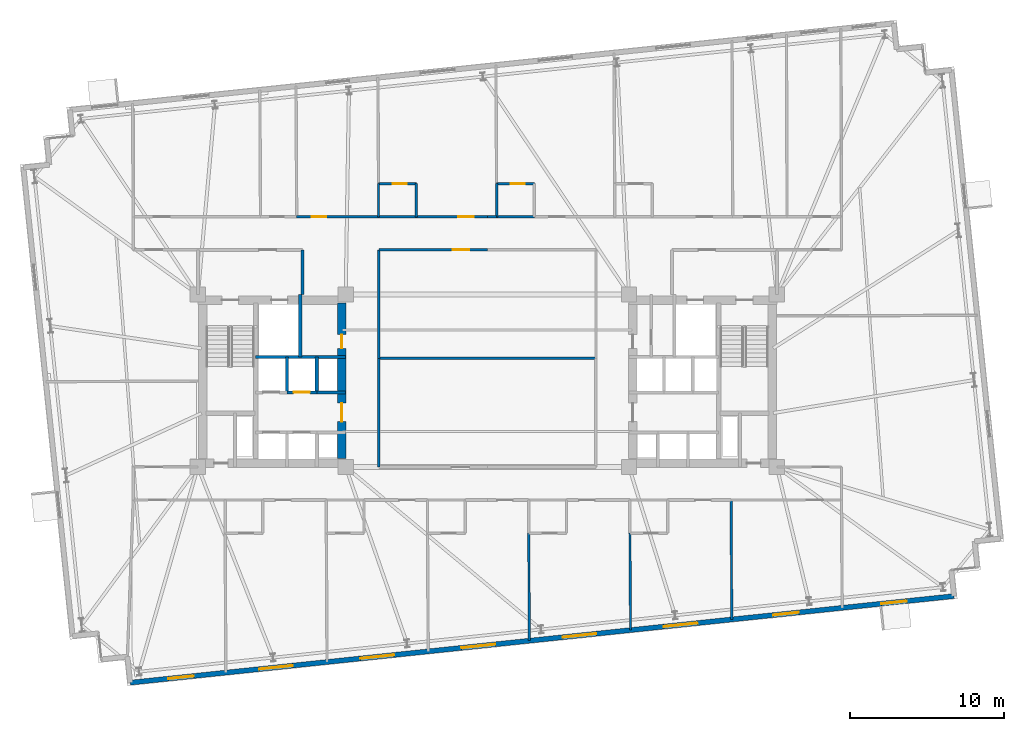
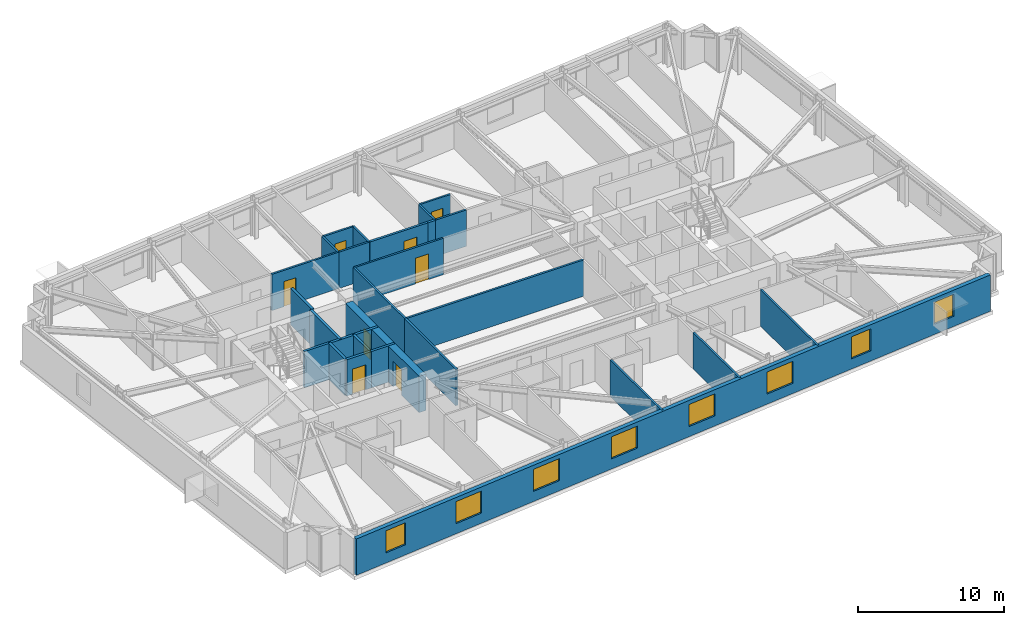
# One storey, part 13 of 19: 26 walls, 8 doors, 8 windows, 16 openings.
"""IFC4 building model written with IfcOpenShell, lengths in metres."""

import ifcopenshell
import ifcopenshell.guid

model = None  # the IFC model being written
_history = None  # IfcOwnerHistory: only IFC2X3 demands one
_inside = {}  # id of a spatial element -> (the spatial element, [elements in it])
_under = {}  # id of a project, library or spatial element -> (it, [spatial elements below it])
_declared = {}  # id of a project -> (the project, [libraries it declares])
_typed = {}  # id of a type object -> (the type object, [elements of that type])
_made_of = {}  # id of a material, layer set ... -> (it, [elements and type objects made of it])


def new_model(schema):
    """Start an empty IFC model of exactly this schema.

    Asked for "IFC4X3", IfcOpenShell would pick the latest addendum, in which some entities
    have other attributes; the version numbers below select the first issue.
    IFC2X3 requires an IfcOwnerHistory on every rooted entity: one is made here for all.
    """
    global model, _history
    if schema == "IFC4X3":
        model = ifcopenshell.file(schema_version=(4, 3, 0, 0))
    else:
        model = ifcopenshell.file(schema=schema)
    _inside.clear()
    _under.clear()
    _declared.clear()
    _typed.clear()
    _made_of.clear()
    _history = None
    if model.schema == "IFC2X3":
        org = make("IfcOrganization", Name="unknown")
        user = make(
            "IfcPersonAndOrganization",
            ThePerson=make("IfcPerson", FamilyName="unknown"),
            TheOrganization=org,
        )
        app = make(
            "IfcApplication",
            ApplicationDeveloper=org,
            Version="unknown",
            ApplicationFullName="unknown",
            ApplicationIdentifier="unknown",
        )
        _history = make(
            "IfcOwnerHistory",
            OwningUser=user,
            OwningApplication=app,
            ChangeAction="ADDED",
            CreationDate=0,
        )
    return model


def make(cls, **values):
    """One entity of the class cls with the attributes given. An attribute that is None is left unset."""
    return model.create_entity(
        cls, **{name: value for name, value in values.items() if value is not None}
    )


def rooted(cls, **values):
    """An entity with a GlobalId (a new one), such as an element, a storey or a relation."""
    return make(cls, GlobalId=ifcopenshell.guid.new(), OwnerHistory=_history, **values)


def si_unit(unit_type, name, prefix=None):
    """IfcSIUnit, for example si_unit("LENGTHUNIT", "METRE", prefix="MILLI")."""
    return make("IfcSIUnit", UnitType=unit_type, Prefix=prefix, Name=name)


def assignment(units):
    """IfcUnitAssignment: the units of a project."""
    return None if units is None else make("IfcUnitAssignment", Units=units)


def point(xyz):
    """IfcCartesianPoint."""
    return None if xyz is None else make("IfcCartesianPoint", Coordinates=xyz)


def direction(xyz):
    """IfcDirection."""
    return None if xyz is None else make("IfcDirection", DirectionRatios=xyz)


def frame(location, z_axis=None, x_axis=None):
    """IfcAxis2Placement3D, a coordinate frame: its origin and axes. An axis left out is left unset."""
    return make(
        "IfcAxis2Placement3D",
        Location=point(location),
        Axis=direction(z_axis),
        RefDirection=direction(x_axis),
    )


def frame_2d(location, x_axis=None):
    """IfcAxis2Placement2D, a coordinate frame in the plane: its origin and x axis."""
    return make(
        "IfcAxis2Placement2D", Location=point(location), RefDirection=direction(x_axis)
    )


def origin():
    """The frame at (0, 0, 0) with its axes left unset."""
    return frame((0.0, 0.0, 0.0))


def place(relative_to, where):
    """IfcLocalPlacement: puts the frame where relative to a parent placement (None: the world)."""
    return make(
        "IfcLocalPlacement", PlacementRelTo=relative_to, RelativePlacement=where
    )


def context(
    kind, dimensions, precision=None, world=None, true_north=None, identifier=None
):
    """IfcGeometricRepresentationContext, for example the 3D "Model" context."""
    return make(
        "IfcGeometricRepresentationContext",
        ContextIdentifier=identifier,
        ContextType=kind,
        CoordinateSpaceDimension=dimensions,
        Precision=precision,
        WorldCoordinateSystem=world,
        TrueNorth=true_north,
    )


def subcontext(parent, identifier, kind, view, scale=None):
    """IfcGeometricRepresentationSubContext, for example "Body" below "Model"."""
    return make(
        "IfcGeometricRepresentationSubContext",
        ContextIdentifier=identifier,
        ContextType=kind,
        ParentContext=parent,
        TargetScale=scale,
        TargetView=view,
    )


def project(units=None, contexts=None):
    """IfcProject with its units and contexts."""
    return rooted(
        "IfcProject",
        Name="project",
        RepresentationContexts=contexts,
        UnitsInContext=assignment(units),
    )


def spatial(cls, under=None, at=None, **own):
    """A site, building, storey or space (cls), placed at a placement, below another one or the project."""
    s = rooted(cls, ObjectPlacement=at, **own)
    if under is not None:
        _under.setdefault(under.id(), (under, []))[1].append(s)
    return s


def profile(cls, at=None, kind="AREA", **sizes):
    """A parametric profile (cls). Its sizes go by their IFC names, for example OverallWidth=200.0."""
    return make(cls, ProfileType=kind, Position=at, **sizes)


def rectangle(**sizes):
    """IfcRectangleProfileDef."""
    return profile("IfcRectangleProfileDef", **sizes)


def extrude(swept, where, along, depth):
    """IfcExtrudedAreaSolid: the profile swept, set in the frame where, extruded along a direction by depth."""
    return make(
        "IfcExtrudedAreaSolid",
        SweptArea=swept,
        Position=where,
        ExtrudedDirection=direction(along),
        Depth=depth,
    )


def shape(context_of_items, identifier, shape_type, items):
    """IfcShapeRepresentation: the items that make up one representation, for example the "Body"."""
    return make(
        "IfcShapeRepresentation",
        ContextOfItems=context_of_items,
        RepresentationIdentifier=identifier,
        RepresentationType=shape_type,
        Items=items,
    )


def material(Name=None, Category=None):
    """IfcMaterial."""
    return make("IfcMaterial", Name=Name, Category=Category)


def layer(
    of_material, thickness, ventilated=None, Name=None, Category=None, Priority=None
):
    """IfcMaterialLayer: one layer of a wall or slab, of a material (None: an air gap)."""
    return make(
        "IfcMaterialLayer",
        Material=of_material,
        LayerThickness=thickness,
        IsVentilated=ventilated,
        Name=Name,
        Category=Category,
        Priority=Priority,
    )


def layer_set(layers, Name=None):
    """IfcMaterialLayerSet."""
    return make("IfcMaterialLayerSet", MaterialLayers=layers, LayerSetName=Name)


def made_of(thing, what):
    """Note that an element or type object is made of a material, layer set ...; save() writes the relation."""
    if what is not None:
        _made_of.setdefault(what.id(), (what, []))[1].append(thing)
    return thing


def type_object(cls, material=None, **own):
    """A type object (cls), such as IfcWallType, which elements share."""
    return made_of(rooted(cls, **own), material)


def element(
    cls,
    number,
    at=None,
    inside=None,
    cuts=None,
    type_object=None,
    material=None,
    context=None,
    identifier="Body",
    shape_type=None,
    held_by="IfcProductDefinitionShape",
    body=None,
    shapes=None,
    **own,
):
    """One element of the class cls, such as IfcWall. Its Tag is "e" and its number.

    at: its placement. inside: the storey or other place that contains it. cuts: it is an
    opening in that element (IfcRelVoidsElement). A single representation is given by context,
    identifier, shape_type and body (its items); several are given by shapes. held_by: the class
    of the entity that holds the representations. save() writes the other relations.
    """
    e = rooted(cls, Tag="e%d" % number, ObjectPlacement=at, **own)
    if body is not None:
        shapes = [shape(context, identifier, shape_type, body)]
    if shapes is not None:
        e.Representation = make(held_by, Representations=shapes)
    if inside is not None:
        _inside.setdefault(inside.id(), (inside, []))[1].append(e)
    if cuts is not None:
        rooted(
            "IfcRelVoidsElement", RelatingBuildingElement=cuts, RelatedOpeningElement=e
        )
    if type_object is not None:
        _typed.setdefault(type_object.id(), (type_object, []))[1].append(e)
    return made_of(e, material)


def fill(opening, filler):
    """IfcRelFillsElement: the door or window that sits in an opening."""
    return rooted(
        "IfcRelFillsElement",
        RelatingOpeningElement=opening,
        RelatedBuildingElement=filler,
    )


def aggregate(whole, parts):
    """IfcRelAggregates: a whole, such as a stair, and the parts it consists of."""
    return rooted("IfcRelAggregates", RelatingObject=whole, RelatedObjects=parts)


def save(model, path):
    """Write the relations noted so far, then the file.

    IfcRelAggregates (storeys below a building ...), IfcRelContainedInSpatialStructure (elements
    in a storey), IfcRelDefinesByType, IfcRelAssociatesMaterial and IfcRelDeclares: one each for
    every whole, place, type object, material and project.
    """
    for whole, parts in _under.values():
        aggregate(whole, parts)
    for where, things in _inside.values():
        rooted(
            "IfcRelContainedInSpatialStructure",
            RelatedElements=things,
            RelatingStructure=where,
        )
    for kind, things in _typed.values():
        rooted("IfcRelDefinesByType", RelatedObjects=things, RelatingType=kind)
    for what, things in _made_of.values():
        rooted("IfcRelAssociatesMaterial", RelatedObjects=things, RelatingMaterial=what)
    for by, libraries in _declared.values():
        rooted("IfcRelDeclares", RelatingContext=by, RelatedDefinitions=libraries)
    model.write(path)


model = new_model("IFC4")

# Units and contexts
model_context = context("Model", 3, precision=1e-05, world=origin(), true_north=direction((0.0, 1.0)))
body_context = subcontext(model_context, "Body", "Model", "MODEL_VIEW")
ifc_project = project(units=[si_unit("LENGTHUNIT", "METRE"), si_unit("AREAUNIT", "SQUARE_METRE"), si_unit("VOLUMEUNIT", "CUBIC_METRE"), si_unit("PLANEANGLEUNIT", "RADIAN"), si_unit("MASSUNIT", "GRAM", prefix="KILO")], contexts=[model_context])

# Site, building, storey
site_placement = place(None, origin())
site = spatial("IfcSite", under=ifc_project, at=site_placement, CompositionType="ELEMENT")
building_placement = place(site_placement, origin())
building = spatial("IfcBuilding", under=site, at=building_placement, Name="Qobustan Lattice House", CompositionType="ELEMENT")
storey_placement = place(building_placement, frame((0.0, 0.0, 115.85009765625)))
storey = spatial("IfcBuildingStorey", under=building, at=storey_placement, Name="L32", CompositionType="ELEMENT", Elevation=115.85009765625)

# Wall, openings, doors
ifc_material_1 = material(Name="Concrete C60/75", Category="concrete")
ifc_layer_1 = layer(ifc_material_1, 0.56005859375)
ifc_layer_set_1 = layer_set([ifc_layer_1], Name="Concrete C60/75")
wall_type_1 = type_object("IfcWallType", Name="WAL-CORE-600", PredefinedType="SHEAR", material=ifc_layer_set_1)
wall_1_placement = place(storey_placement, frame((-9.449951171875, -5.050048828125, 0.0), z_axis=(0.0, 0.0, 1.0), x_axis=(0.0, 1.0, 0.0)))
wall_1 = element("IfcWall", 1, at=wall_1_placement, inside=storey, type_object=wall_type_1, Name="L32 split-core shear wall CW-E", PredefinedType="SHEAR", context=body_context, shape_type="SweptSolid", body=[
    extrude(rectangle(XDim=10.10009765625, YDim=0.56005859375, at=frame_2d((5.050048828125, 0.0))), origin(), (0.0, 0.0, 1.0), 3.044921875),
])
opening_1_placement = place(wall_1_placement, frame((7.14990234375, 0.0, 0.0)))
opening_1 = element("IfcOpeningElement", 2, at=opening_1_placement, cuts=wall_1, Name="Opening RD-01", PredefinedType="OPENING", context=body_context, shape_type="SweptSolid", body=[
    extrude(rectangle(XDim=0.89990234375, YDim=2.10009765625, at=frame_2d((0.449951171875, 1.050048828125))), frame((0.0, 0.2900390625, 0.0), z_axis=(0.0, -1.0, 0.0), x_axis=(1.0, 0.0, 0.0)), (0.0, 0.0, 1.0), 0.580078125),
])
opening_2_placement = place(wall_1_placement, frame((2.39990234375, 0.0, 0.0)))
opening_2 = element("IfcOpeningElement", 3, at=opening_2_placement, cuts=wall_1, Name="Opening FD-01", PredefinedType="OPENING", context=body_context, shape_type="SweptSolid", body=[
    extrude(rectangle(XDim=1.199951171875, YDim=2.14990234375, at=frame_2d((0.60009765625, 1.074951171875))), frame((0.0, 0.2900390625, 0.0), z_axis=(0.0, -1.0, 0.0), x_axis=(1.0, 0.0, 0.0)), (0.0, 0.0, 1.0), 0.580078125),
])
ifc_material_2 = material(Name="Persian walnut timber and steel frame door", Category="steel")
door_type_1 = type_object("IfcDoorType", Name="DOR-LOBBY-FD-1200x2150", OperationType="NOTDEFINED", PredefinedType="DOOR", material=ifc_material_2)
door_1_placement = place(opening_2_placement, origin())
door_1 = element("IfcDoor", 4, at=door_1_placement, inside=storey, type_object=door_type_1, Name="L32 West passenger lift lobby fire door", OperationType="SINGLE_SWING_RIGHT", OverallHeight=2.14990234375, OverallWidth=1.199951171875, PredefinedType="DOOR", context=body_context, shape_type="SweptSolid", body=[
    extrude(rectangle(XDim=1.199951171875, YDim=2.14990234375, at=frame_2d((0.60009765625, 1.074951171875))), frame((0.0, 0.02490234375, 0.0), z_axis=(0.0, -1.0, 0.0), x_axis=(1.0, 0.0, 0.0)), (0.0, 0.0, 1.0), 0.050048828125),
])
fill(opening_2, door_1)
ifc_material_3 = material(Name="Persian walnut timber and steel frame door", Category="steel")
door_type_2 = type_object("IfcDoorType", Name="DOR-RISER-FD-900x2100", OperationType="NOTDEFINED", PredefinedType="DOOR", material=ifc_material_3)
door_2_placement = place(opening_1_placement, origin())
door_2 = element("IfcDoor", 5, at=door_2_placement, inside=storey, type_object=door_type_2, Name="L32 Floor tea pantry fire door", OperationType="SINGLE_SWING_LEFT", OverallHeight=2.10009765625, OverallWidth=0.89990234375, PredefinedType="DOOR", context=body_context, shape_type="SweptSolid", body=[
    extrude(rectangle(XDim=0.89990234375, YDim=2.10009765625, at=frame_2d((0.449951171875, 1.050048828125))), frame((0.0, 0.02490234375, 0.0), z_axis=(0.0, -1.0, 0.0), x_axis=(1.0, 0.0, 0.0)), (0.0, 0.0, 1.0), 0.050048828125),
])
fill(opening_1, door_2)

# Wall, openings, windows
ifc_material_4 = material(Name="Precast concrete C40/50", Category="concrete")
ifc_layer_2 = layer(ifc_material_4, 0.320068359375)
ifc_layer_set_2 = layer_set([ifc_layer_2], Name="Precast concrete C40/50")
wall_type_2 = type_object("IfcWallType", Name="WAL-EXT-STONE-320", PredefinedType="SOLIDWALL", material=ifc_layer_set_2)
wall_2_placement = place(storey_placement, frame((30.307373046875, -13.985595703125, 0.0), z_axis=(0.0, 0.0, 1.0), x_axis=(-0.994521628355, -0.104531003701, 0.0)))
wall_2 = element("IfcWall", 6, at=wall_2_placement, inside=storey, type_object=wall_type_2, Name="L32 exterior limestone-clad wall 20", PredefinedType="SOLIDWALL", context=body_context, shape_type="SweptSolid", body=[
    extrude(rectangle(XDim=53.800048828125, YDim=0.320068359375, at=frame_2d((26.89990234375, 0.0))), origin(), (0.0, 0.0, 1.0), 3.044921875),
])
opening_3_placement = place(wall_2_placement, frame((3.097900390625, 0.0, 0.85009765625)))
opening_3 = element("IfcOpeningElement", 7, at=opening_3_placement, cuts=wall_2, Name="Opening WN-09", PredefinedType="OPENING", context=body_context, shape_type="SweptSolid", body=[
    extrude(rectangle(XDim=1.64990234375, YDim=1.85009765625, at=frame_2d((0.824951171875, 0.925048828125))), frame((0.0, 0.169921875, 0.0), z_axis=(0.0, -1.0, 0.0), x_axis=(1.0, 0.0, 0.0)), (0.0, 0.0, 1.0), 0.340087890625),
])
opening_4_placement = place(wall_2_placement, frame((10.143310546875, 0.0, 0.85009765625)))
opening_4 = element("IfcOpeningElement", 8, at=opening_4_placement, cuts=wall_2, Name="Opening WN-09", PredefinedType="OPENING", context=body_context, shape_type="SweptSolid", body=[
    extrude(rectangle(XDim=1.64990234375, YDim=1.85009765625, at=frame_2d((0.824951171875, 0.925048828125))), frame((0.0, 0.169921875, 0.0), z_axis=(0.0, -1.0, 0.0), x_axis=(1.0, 0.0, 0.0)), (0.0, 0.0, 1.0), 0.340087890625),
])
opening_5_placement = place(wall_2_placement, frame((16.75341796875, 0.0, 0.85009765625)))
opening_5 = element("IfcOpeningElement", 9, at=opening_5_placement, cuts=wall_2, Name="Opening WN-03", PredefinedType="OPENING", context=body_context, shape_type="SweptSolid", body=[
    extrude(rectangle(XDim=2.199951171875, YDim=1.85009765625, at=frame_2d((1.10009765625, 0.925048828125))), frame((0.0, 0.169921875, 0.0), z_axis=(0.0, -1.0, 0.0), x_axis=(1.0, 0.0, 0.0)), (0.0, 0.0, 1.0), 0.340087890625),
])
opening_6_placement = place(wall_2_placement, frame((23.358154296875, 0.0, 0.85009765625)))
opening_6 = element("IfcOpeningElement", 10, at=opening_6_placement, cuts=wall_2, Name="Opening WN-03", PredefinedType="OPENING", context=body_context, shape_type="SweptSolid", body=[
    extrude(rectangle(XDim=2.199951171875, YDim=1.85009765625, at=frame_2d((1.10009765625, 0.925048828125))), frame((0.0, 0.169921875, 0.0), z_axis=(0.0, -1.0, 0.0), x_axis=(1.0, 0.0, 0.0)), (0.0, 0.0, 1.0), 0.340087890625),
])
opening_7_placement = place(wall_2_placement, frame((29.963134765625, 0.0, 0.85009765625)))
opening_7 = element("IfcOpeningElement", 11, at=opening_7_placement, cuts=wall_2, Name="Opening WN-03", PredefinedType="OPENING", context=body_context, shape_type="SweptSolid", body=[
    extrude(rectangle(XDim=2.199951171875, YDim=1.85009765625, at=frame_2d((1.10009765625, 0.925048828125))), frame((0.0, 0.169921875, 0.0), z_axis=(0.0, -1.0, 0.0), x_axis=(1.0, 0.0, 0.0)), (0.0, 0.0, 1.0), 0.340087890625),
])
opening_8_placement = place(wall_2_placement, frame((36.568115234375, 0.0, 0.85009765625)))
opening_8 = element("IfcOpeningElement", 12, at=opening_8_placement, cuts=wall_2, Name="Opening WN-03", PredefinedType="OPENING", context=body_context, shape_type="SweptSolid", body=[
    extrude(rectangle(XDim=2.199951171875, YDim=1.85009765625, at=frame_2d((1.10009765625, 0.925048828125))), frame((0.0, 0.169921875, 0.0), z_axis=(0.0, -1.0, 0.0), x_axis=(1.0, 0.0, 0.0)), (0.0, 0.0, 1.0), 0.340087890625),
])
opening_9_placement = place(wall_2_placement, frame((43.1728515625, 0.0, 0.85009765625)))
opening_9 = element("IfcOpeningElement", 13, at=opening_9_placement, cuts=wall_2, Name="Opening WN-03", PredefinedType="OPENING", context=body_context, shape_type="SweptSolid", body=[
    extrude(rectangle(XDim=2.199951171875, YDim=1.85009765625, at=frame_2d((1.10009765625, 0.925048828125))), frame((0.0, 0.169921875, 0.0), z_axis=(0.0, -1.0, 0.0), x_axis=(1.0, 0.0, 0.0)), (0.0, 0.0, 1.0), 0.340087890625),
])
opening_10_placement = place(wall_2_placement, frame((49.652587890625, 0.0, 0.85009765625)))
opening_10 = element("IfcOpeningElement", 14, at=opening_10_placement, cuts=wall_2, Name="Opening WN-09", PredefinedType="OPENING", context=body_context, shape_type="SweptSolid", body=[
    extrude(rectangle(XDim=1.64990234375, YDim=1.85009765625, at=frame_2d((0.824951171875, 0.925048828125))), frame((0.0, 0.169921875, 0.0), z_axis=(0.0, -1.0, 0.0), x_axis=(1.0, 0.0, 0.0)), (0.0, 0.0, 1.0), 0.340087890625),
])
ifc_material_5 = material(Name="Double-glazed low-E aluminium window", Category="aluminium")
window_type_1 = type_object("IfcWindowType", Name="WIN-STU-1650x1850", PartitioningType="SINGLE_PANEL", PredefinedType="WINDOW", material=ifc_material_5)
window_1_placement = place(opening_3_placement, origin())
window_1 = element("IfcWindow", 15, at=window_1_placement, inside=storey, type_object=window_type_1, Name="L32 Academic seminar room window", OverallHeight=1.85009765625, OverallWidth=1.64990234375, PartitioningType="SINGLE_PANEL", PredefinedType="WINDOW", context=body_context, shape_type="SweptSolid", body=[
    extrude(rectangle(XDim=1.64990234375, YDim=1.85009765625, at=frame_2d((0.824951171875, 0.925048828125))), frame((0.0, 0.030029296875, 0.0), z_axis=(0.0, -1.0, 0.0), x_axis=(1.0, 0.0, 0.0)), (0.0, 0.0, 1.0), 0.06005859375),
])
fill(opening_3, window_1)
window_2_placement = place(opening_4_placement, origin())
window_2 = element("IfcWindow", 16, at=window_2_placement, inside=storey, type_object=window_type_1, Name="L32 Group study room window", OverallHeight=1.85009765625, OverallWidth=1.64990234375, PartitioningType="SINGLE_PANEL", PredefinedType="WINDOW", context=body_context, shape_type="SweptSolid", body=[
    extrude(rectangle(XDim=1.64990234375, YDim=1.85009765625, at=frame_2d((0.824951171875, 0.925048828125))), frame((0.0, 0.030029296875, 0.0), z_axis=(0.0, -1.0, 0.0), x_axis=(1.0, 0.0, 0.0)), (0.0, 0.0, 1.0), 0.06005859375),
])
fill(opening_4, window_2)
window_3_placement = place(opening_10_placement, origin())
window_3 = element("IfcWindow", 17, at=window_3_placement, inside=storey, type_object=window_type_1, Name="L32 Focus study room S1 window", OverallHeight=1.85009765625, OverallWidth=1.64990234375, PartitioningType="SINGLE_PANEL", PredefinedType="WINDOW", context=body_context, shape_type="SweptSolid", body=[
    extrude(rectangle(XDim=1.64990234375, YDim=1.85009765625, at=frame_2d((0.824951171875, 0.925048828125))), frame((0.0, 0.030029296875, 0.0), z_axis=(0.0, -1.0, 0.0), x_axis=(1.0, 0.0, 0.0)), (0.0, 0.0, 1.0), 0.06005859375),
])
fill(opening_10, window_3)
ifc_material_6 = material(Name="Double-glazed low-E aluminium window", Category="aluminium")
window_type_2 = type_object("IfcWindowType", Name="WIN-WIDE-2200x1850", PartitioningType="SINGLE_PANEL", PredefinedType="WINDOW", material=ifc_material_6)
window_4_placement = place(opening_5_placement, origin())
window_4 = element("IfcWindow", 18, at=window_4_placement, inside=storey, type_object=window_type_2, Name="L32 Kitchenette and studio apartment L32-S6 window", OverallHeight=1.85009765625, OverallWidth=2.199951171875, PartitioningType="SINGLE_PANEL", PredefinedType="WINDOW", context=body_context, shape_type="SweptSolid", body=[
    extrude(rectangle(XDim=2.199951171875, YDim=1.85009765625, at=frame_2d((1.10009765625, 0.925048828125))), frame((0.0, 0.030029296875, 0.0), z_axis=(0.0, -1.0, 0.0), x_axis=(1.0, 0.0, 0.0)), (0.0, 0.0, 1.0), 0.06005859375),
])
fill(opening_5, window_4)
window_5_placement = place(opening_6_placement, origin())
window_5 = element("IfcWindow", 19, at=window_5_placement, inside=storey, type_object=window_type_2, Name="L32 Kitchenette and studio apartment L32-S5 window", OverallHeight=1.85009765625, OverallWidth=2.199951171875, PartitioningType="SINGLE_PANEL", PredefinedType="WINDOW", context=body_context, shape_type="SweptSolid", body=[
    extrude(rectangle(XDim=2.199951171875, YDim=1.85009765625, at=frame_2d((1.10009765625, 0.925048828125))), frame((0.0, 0.030029296875, 0.0), z_axis=(0.0, -1.0, 0.0), x_axis=(1.0, 0.0, 0.0)), (0.0, 0.0, 1.0), 0.06005859375),
])
fill(opening_6, window_5)
window_6_placement = place(opening_7_placement, origin())
window_6 = element("IfcWindow", 20, at=window_6_placement, inside=storey, type_object=window_type_2, Name="L32 Kitchenette and studio apartment L32-S4 window", OverallHeight=1.85009765625, OverallWidth=2.199951171875, PartitioningType="SINGLE_PANEL", PredefinedType="WINDOW", context=body_context, shape_type="SweptSolid", body=[
    extrude(rectangle(XDim=2.199951171875, YDim=1.85009765625, at=frame_2d((1.10009765625, 0.925048828125))), frame((0.0, 0.030029296875, 0.0), z_axis=(0.0, -1.0, 0.0), x_axis=(1.0, 0.0, 0.0)), (0.0, 0.0, 1.0), 0.06005859375),
])
fill(opening_7, window_6)
window_7_placement = place(opening_8_placement, origin())
window_7 = element("IfcWindow", 21, at=window_7_placement, inside=storey, type_object=window_type_2, Name="L32 Kitchenette and studio apartment L32-S3 window", OverallHeight=1.85009765625, OverallWidth=2.199951171875, PartitioningType="SINGLE_PANEL", PredefinedType="WINDOW", context=body_context, shape_type="SweptSolid", body=[
    extrude(rectangle(XDim=2.199951171875, YDim=1.85009765625, at=frame_2d((1.10009765625, 0.925048828125))), frame((0.0, 0.030029296875, 0.0), z_axis=(0.0, -1.0, 0.0), x_axis=(1.0, 0.0, 0.0)), (0.0, 0.0, 1.0), 0.06005859375),
])
fill(opening_8, window_7)
window_8_placement = place(opening_9_placement, origin())
window_8 = element("IfcWindow", 22, at=window_8_placement, inside=storey, type_object=window_type_2, Name="L32 Kitchenette and studio apartment L32-S2 window", OverallHeight=1.85009765625, OverallWidth=2.199951171875, PartitioningType="SINGLE_PANEL", PredefinedType="WINDOW", context=body_context, shape_type="SweptSolid", body=[
    extrude(rectangle(XDim=2.199951171875, YDim=1.85009765625, at=frame_2d((1.10009765625, 0.925048828125))), frame((0.0, 0.030029296875, 0.0), z_axis=(0.0, -1.0, 0.0), x_axis=(1.0, 0.0, 0.0)), (0.0, 0.0, 1.0), 0.06005859375),
])
fill(opening_9, window_8)

# Wall, opening, door
ifc_material_7 = material(Name="Gypsum fireboard acoustic partition", Category="gypsum")
ifc_layer_3 = layer(ifc_material_7, 0.179931640625)
ifc_layer_set_3 = layer_set([ifc_layer_3], Name="Gypsum fireboard acoustic partition")
wall_type_3 = type_object("IfcWallType", Name="WAL-FIRE-180", PredefinedType="PARTITIONING", material=ifc_layer_set_3)
wall_3_placement = place(storey_placement, frame((-4.616943359375, 10.64990234375, 0.0), z_axis=(0.0, 0.0, 1.0), x_axis=(1.0, 0.0, 0.0)))
wall_3 = element("IfcWall", 23, at=wall_3_placement, inside=storey, type_object=wall_type_3, Name="L32 interior partition 41", PredefinedType="PARTITIONING", context=body_context, shape_type="SweptSolid", body=[
    extrude(rectangle(XDim=4.616943359375, YDim=0.179931640625, at=frame_2d((2.30859375, 0.0))), origin(), (0.0, 0.0, 1.0), 3.044921875),
])
opening_11_placement = place(wall_3_placement, frame((2.72998046875, 0.0, 0.0)))
opening_11 = element("IfcOpeningElement", 24, at=opening_11_placement, cuts=wall_3, Name="Opening FD-02", PredefinedType="OPENING", context=body_context, shape_type="SweptSolid", body=[
    extrude(rectangle(XDim=1.0, YDim=2.14990234375, at=frame_2d((0.5, 1.074951171875))), frame((0.0, 0.099853515625, 0.0), z_axis=(0.0, -1.0, 0.0), x_axis=(1.0, 0.0, 0.0)), (0.0, 0.0, 1.0), 0.199951171875),
])
ifc_material_8 = material(Name="Persian walnut timber and steel frame door", Category="steel")
door_type_3 = type_object("IfcDoorType", Name="DOR-UNIT-FD-1000x2150", OperationType="NOTDEFINED", PredefinedType="DOOR", material=ifc_material_8)
door_3_placement = place(opening_11_placement, origin())
door_3 = element("IfcDoor", 25, at=door_3_placement, inside=storey, type_object=door_type_3, Name="L32 North-west floor corridor to Kitchenette and studio apartment L32-N3 door", OperationType="SINGLE_SWING_LEFT", OverallHeight=2.14990234375, OverallWidth=1.0, PredefinedType="DOOR", context=body_context, shape_type="SweptSolid", body=[
    extrude(rectangle(XDim=1.0, YDim=2.14990234375, at=frame_2d((0.5, 1.074951171875))), frame((0.0, 0.02490234375, 0.0), z_axis=(0.0, -1.0, 0.0), x_axis=(1.0, 0.0, 0.0)), (0.0, 0.0, 1.0), 0.050048828125),
])
fill(opening_11, door_3)

# Wall
wall_4_placement = place(storey_placement, frame((0.0, 10.64990234375, 0.0), z_axis=(0.0, 0.0, 1.0), x_axis=(1.0, 0.0, 0.0)))
element("IfcWall", 26, at=wall_4_placement, inside=storey, type_object=wall_type_3, Name="L32 interior partition 46", PredefinedType="PARTITIONING", context=body_context, shape_type="SweptSolid", body=[
    extrude(rectangle(XDim=0.60009765625, YDim=0.179931640625, at=frame_2d((0.300048828125, 0.0))), origin(), (0.0, 0.0, 1.0), 3.044921875),
])

# Wall, opening, door
ifc_material_9 = material(Name="Acoustic twin-stud gypsum partition", Category="gypsum")
ifc_layer_4 = layer(ifc_material_9, 0.14990234375)
ifc_layer_set_4 = layer_set([ifc_layer_4], Name="Acoustic twin-stud gypsum partition")
wall_type_4 = type_object("IfcWallType", Name="WAL-PART-150", PredefinedType="PARTITIONING", material=ifc_layer_set_4)
wall_5_placement = place(storey_placement, frame((-12.383056640625, 10.64990234375, 0.0), z_axis=(0.0, 0.0, 1.0), x_axis=(1.0, 0.0, 0.0)))
wall_5 = element("IfcWall", 27, at=wall_5_placement, inside=storey, type_object=wall_type_4, Name="L32 interior partition 40", PredefinedType="PARTITIONING", context=body_context, shape_type="SweptSolid", body=[
    extrude(rectangle(XDim=5.316162109375, YDim=0.14990234375, at=frame_2d((2.658203125, 0.0))), origin(), (0.0, 0.0, 1.0), 3.044921875),
])
opening_12_placement = place(wall_5_placement, frame((0.980712890625, 0.0, 0.0)))
opening_12 = element("IfcOpeningElement", 28, at=opening_12_placement, cuts=wall_5, Name="Opening ID-01", PredefinedType="OPENING", context=body_context, shape_type="SweptSolid", body=[
    extrude(rectangle(XDim=0.949951171875, YDim=2.10009765625, at=frame_2d((0.47509765625, 1.050048828125))), frame((0.0, 0.0849609375, 0.0), z_axis=(0.0, -1.0, 0.0), x_axis=(1.0, 0.0, 0.0)), (0.0, 0.0, 1.0), 0.169921875),
])
ifc_material_10 = material(Name="Persian walnut timber and steel frame door", Category="steel")
door_type_4 = type_object("IfcDoorType", Name="DOR-ROOM-950x2100", OperationType="NOTDEFINED", PredefinedType="DOOR", material=ifc_material_10)
door_4_placement = place(opening_12_placement, origin())
door_4 = element("IfcDoor", 29, at=door_4_placement, inside=storey, type_object=door_type_4, Name="L32 North-west floor corridor to Laundry utility room door", OperationType="SINGLE_SWING_RIGHT", OverallHeight=2.10009765625, OverallWidth=0.949951171875, PredefinedType="DOOR", context=body_context, shape_type="SweptSolid", body=[
    extrude(rectangle(XDim=0.949951171875, YDim=2.10009765625, at=frame_2d((0.47509765625, 1.050048828125))), frame((0.0, 0.02490234375, 0.0), z_axis=(0.0, -1.0, 0.0), x_axis=(1.0, 0.0, 0.0)), (0.0, 0.0, 1.0), 0.050048828125),
])
fill(opening_12, door_4)

wall_6_placement = place(storey_placement, frame((0.0, 8.5, 0.0), z_axis=(0.0, 0.0, 1.0), x_axis=(-1.0, 0.0, 0.0)))
wall_6 = element("IfcWall", 30, at=wall_6_placement, inside=storey, type_object=wall_type_4, Name="L32 interior partition 43", PredefinedType="PARTITIONING", context=body_context, shape_type="SweptSolid", body=[
    extrude(rectangle(XDim=7.050048828125, YDim=0.14990234375, at=frame_2d((3.52490234375, 0.0))), origin(), (0.0, 0.0, 1.0), 3.044921875),
])
opening_13_placement = place(wall_6_placement, frame((1.18505859375, 0.0, 0.0)))
opening_13 = element("IfcOpeningElement", 31, at=opening_13_placement, cuts=wall_6, Name="Opening ID-02", PredefinedType="OPENING", context=body_context, shape_type="SweptSolid", body=[
    extrude(rectangle(XDim=1.050048828125, YDim=2.14990234375, at=frame_2d((0.52490234375, 1.074951171875))), frame((0.0, 0.0849609375, 0.0), z_axis=(0.0, -1.0, 0.0), x_axis=(1.0, 0.0, 0.0)), (0.0, 0.0, 1.0), 0.169921875),
])
ifc_material_11 = material(Name="Persian walnut timber and steel frame door", Category="steel")
door_type_5 = type_object("IfcDoorType", Name="DOR-STUDY-1050x2150", OperationType="NOTDEFINED", PredefinedType="DOOR", material=ifc_material_11)
door_5_placement = place(opening_13_placement, origin())
door_5 = element("IfcDoor", 32, at=door_5_placement, inside=storey, type_object=door_type_5, Name="L32 North-west floor corridor to Central collaborative study room door", OperationType="SINGLE_SWING_RIGHT", OverallHeight=2.14990234375, OverallWidth=1.050048828125, PredefinedType="DOOR", context=body_context, shape_type="SweptSolid", body=[
    extrude(rectangle(XDim=1.050048828125, YDim=2.14990234375, at=frame_2d((0.52490234375, 1.074951171875))), frame((0.0, 0.02490234375, 0.0), z_axis=(0.0, -1.0, 0.0), x_axis=(1.0, 0.0, 0.0)), (0.0, 0.0, 1.0), 0.050048828125),
])
fill(opening_13, door_5)

# Walls
wall_7_placement = place(storey_placement, frame((-7.050048828125, 8.5, 0.0), z_axis=(0.0, 0.0, 1.0), x_axis=(0.0, -1.0, 0.0)))
element("IfcWall", 33, at=wall_7_placement, inside=storey, type_object=wall_type_4, Name="L32 interior partition 74", PredefinedType="PARTITIONING", context=body_context, shape_type="SweptSolid", body=[
    extrude(rectangle(XDim=7.050048828125, YDim=0.14990234375, at=frame_2d((3.52490234375, 0.0))), origin(), (0.0, 0.0, 1.0), 3.044921875),
])
wall_8_placement = place(storey_placement, frame((2.68603515625, -9.89990234375, 0.0), z_axis=(0.0, 0.0, 1.0), x_axis=(0.006291821768, -0.999980206294, 0.0)))
element("IfcWall", 34, at=wall_8_placement, inside=storey, type_object=wall_type_4, Name="L32 interior partition 111", PredefinedType="PARTITIONING", context=body_context, shape_type="SweptSolid", body=[
    extrude(rectangle(XDim=6.984619140625, YDim=0.14990234375, at=frame_2d((3.4921875, 0.0))), origin(), (0.0, 0.0, 1.0), 3.044921875),
])
wall_9_placement = place(storey_placement, frame((9.257080078125, -9.89990234375, 0.0), z_axis=(0.0, 0.0, 1.0), x_axis=(0.006943468909, -0.999975893829, 0.0)))
element("IfcWall", 35, at=wall_9_placement, inside=storey, type_object=wall_type_4, Name="L32 interior partition 115", PredefinedType="PARTITIONING", context=body_context, shape_type="SweptSolid", body=[
    extrude(rectangle(XDim=6.2939453125, YDim=0.14990234375, at=frame_2d((3.14697265625, 0.0))), origin(), (0.0, 0.0, 1.0), 3.044921875),
])
wall_10_placement = place(storey_placement, frame((15.8291015625, -7.75, 0.0), z_axis=(0.0, 0.0, 1.0), x_axis=(0.00563681802, -0.999984113015, 0.0)))
element("IfcWall", 36, at=wall_10_placement, inside=storey, type_object=wall_type_4, Name="L32 interior partition 119", PredefinedType="PARTITIONING", context=body_context, shape_type="SweptSolid", body=[
    extrude(rectangle(XDim=7.7529296875, YDim=0.14990234375, at=frame_2d((3.87646484375, 0.0))), origin(), (0.0, 0.0, 1.0), 3.044921875),
])
ifc_material_12 = material(Name="High-mass acoustic twin-stud partition", Category="gypsum")
ifc_layer_5 = layer(ifc_material_12, 0.1650390625)
ifc_layer_set_5 = layer_set([ifc_layer_5], Name="High-mass acoustic twin-stud partition")
wall_type_5 = type_object("IfcWallType", Name="WAL-PART-165", PredefinedType="PARTITIONING", material=ifc_layer_set_5)
wall_11_placement = place(storey_placement, frame((-7.050048828125, 1.449951171875, 0.0), z_axis=(0.0, 0.0, 1.0), x_axis=(0.0, -1.0, 0.0)))
element("IfcWall", 37, at=wall_11_placement, inside=storey, type_object=wall_type_5, Name="L32 interior partition 73", PredefinedType="PARTITIONING", context=body_context, shape_type="SweptSolid", body=[
    extrude(rectangle(XDim=7.050048828125, YDim=0.1650390625, at=frame_2d((3.52490234375, 0.0))), origin(), (0.0, 0.0, 1.0), 3.044921875),
])
wall_12_placement = place(storey_placement, frame((-7.050048828125, 1.449951171875, 0.0), z_axis=(0.0, 0.0, 1.0), x_axis=(1.0, 0.0, 0.0)))
element("IfcWall", 38, at=wall_12_placement, inside=storey, type_object=wall_type_5, Name="L32 interior partition 120", PredefinedType="PARTITIONING", context=body_context, shape_type="SweptSolid", body=[
    extrude(rectangle(XDim=14.10009765625, YDim=0.1650390625, at=frame_2d((7.050048828125, 0.0))), origin(), (0.0, 0.0, 1.0), 3.044921875),
])
ifc_material_13 = material(Name="Two-hour gypsum fireboard acoustic partition", Category="gypsum")
ifc_layer_6 = layer(ifc_material_13, 0.199951171875)
ifc_layer_set_6 = layer_set([ifc_layer_6], Name="Two-hour gypsum fireboard acoustic partition")
wall_type_6 = type_object("IfcWallType", Name="WAL-PROT-200", PredefinedType="PARTITIONING", material=ifc_layer_set_6)
wall_13_placement = place(storey_placement, frame((-12.0, 5.60009765625, 0.0), z_axis=(0.0, 0.0, 1.0), x_axis=(0.0, 1.0, 0.0)))
element("IfcWall", 39, at=wall_13_placement, inside=storey, type_object=wall_type_6, Name="L32 interior partition 4", PredefinedType="PARTITIONING", context=body_context, shape_type="SweptSolid", body=[
    extrude(rectangle(XDim=2.89990234375, YDim=0.199951171875, at=frame_2d((1.449951171875, 0.0))), origin(), (0.0, 0.0, 1.0), 3.044921875),
])
ifc_material_14 = material(Name="Concrete C40/50", Category="concrete")
ifc_layer_7 = layer(ifc_material_14, 0.199951171875)
ifc_layer_set_7 = layer_set([ifc_layer_7], Name="Concrete C40/50")
wall_type_7 = type_object("IfcWallType", Name="WAL-SHAFT-200", PredefinedType="PARTITIONING", material=ifc_layer_set_7)
wall_14_placement = place(storey_placement, frame((-12.14990234375, 1.550048828125, 0.0), z_axis=(0.0, 0.0, 1.0), x_axis=(0.0, 1.0, 0.0)))
element("IfcWall", 40, at=wall_14_placement, inside=storey, type_object=wall_type_7, Name="L32 interior partition 2", PredefinedType="PARTITIONING", context=body_context, shape_type="SweptSolid", body=[
    extrude(rectangle(XDim=4.050048828125, YDim=0.199951171875, at=frame_2d((2.02490234375, 0.0))), origin(), (0.0, 0.0, 1.0), 3.044921875),
])

# Wall, opening, door
wall_15_placement = place(storey_placement, frame((-11.080078125, -0.75, 0.0), z_axis=(0.0, 0.0, 1.0), x_axis=(-1.0, 0.0, 0.0)))
wall_15 = element("IfcWall", 41, at=wall_15_placement, inside=storey, type_object=wall_type_7, Name="L32 interior partition 11", PredefinedType="PARTITIONING", context=body_context, shape_type="SweptSolid", body=[
    extrude(rectangle(XDim=1.93994140625, YDim=0.199951171875, at=frame_2d((0.969970703125, 0.0))), origin(), (0.0, 0.0, 1.0), 3.044921875),
])
opening_14_placement = place(wall_15_placement, frame((0.445068359375, 0.0, 0.0)))
opening_14 = element("IfcOpeningElement", 42, at=opening_14_placement, cuts=wall_15, Name="Opening LD-01", PredefinedType="OPENING", context=body_context, shape_type="SweptSolid", body=[
    extrude(rectangle(XDim=1.050048828125, YDim=2.10009765625, at=frame_2d((0.52490234375, 1.050048828125))), frame((0.0, 0.10986328125, 0.0), z_axis=(0.0, -1.0, 0.0), x_axis=(1.0, 0.0, 0.0)), (0.0, 0.0, 1.0), 0.219970703125),
])
ifc_material_15 = material(Name="Persian walnut timber and steel frame door", Category="steel")
door_type_6 = type_object("IfcDoorType", Name="DOR-LIFT-LD-1050x2100", OperationType="NOTDEFINED", PredefinedType="DOOR", material=ifc_material_15)
door_6_placement = place(opening_14_placement, origin())
door_6 = element("IfcDoor", 43, at=door_6_placement, inside=storey, type_object=door_type_6, Name="L32 lift landing door", OperationType="DOUBLE_DOOR_SLIDING", OverallHeight=2.10009765625, OverallWidth=1.050048828125, PredefinedType="DOOR", context=body_context, shape_type="SweptSolid", body=[
    extrude(rectangle(XDim=1.050048828125, YDim=2.10009765625, at=frame_2d((0.52490234375, 1.050048828125))), frame((0.0, 0.02490234375, 0.0), z_axis=(0.0, -1.0, 0.0), x_axis=(1.0, 0.0, 0.0)), (0.0, 0.0, 1.0), 0.050048828125),
])
fill(opening_14, door_6)

# Walls
wall_16_placement = place(storey_placement, frame((-9.199951171875, -0.75, 0.0), z_axis=(0.0, 0.0, 1.0), x_axis=(-1.0, 0.0, 0.0)))
element("IfcWall", 44, at=wall_16_placement, inside=storey, type_object=wall_type_7, Name="L32 interior partition 12", PredefinedType="PARTITIONING", context=body_context, shape_type="SweptSolid", body=[
    extrude(rectangle(XDim=1.880126953125, YDim=0.199951171875, at=frame_2d((0.93994140625, 0.0))), origin(), (0.0, 0.0, 1.0), 3.044921875),
])
for number, where, z_axis, x_axis, name in (
    (45, (-13.02001953125, -0.75, 0.0), (0.0, 0.0, 1.0), (0.0, 1.0, 0.0), "L32 interior partition 16"),
    (46, (-11.080078125, -0.75, 0.0), (0.0, 0.0, 1.0), (0.0, 1.0, 0.0), "L32 interior partition 17"),
):
    element("IfcWall", number, at=place(storey_placement, frame(where, z_axis=z_axis, x_axis=x_axis)), inside=storey, type_object=wall_type_7, Name=name, PredefinedType="PARTITIONING", context=body_context, shape_type="SweptSolid", body=[
        extrude(rectangle(XDim=2.300048828125, YDim=0.199951171875, at=frame_2d((1.14990234375, 0.0))), origin(), (0.0, 0.0, 1.0), 3.044921875),
    ])
wall_17_placement = place(storey_placement, frame((-15.050048828125, 1.550048828125, 0.0), z_axis=(0.0, 0.0, 1.0), x_axis=(1.0, 0.0, 0.0)))
element("IfcWall", 47, at=wall_17_placement, inside=storey, type_object=wall_type_7, Name="L32 interior partition 121", PredefinedType="PARTITIONING", context=body_context, shape_type="SweptSolid", body=[
    extrude(rectangle(XDim=5.85009765625, YDim=0.199951171875, at=frame_2d((2.925048828125, 0.0))), origin(), (0.0, 0.0, 1.0), 3.044921875),
])
ifc_material_16 = material(Name="Moisture-resistant acoustic plumbing wall", Category="gypsum")
ifc_layer_8 = layer(ifc_material_16, 0.14990234375)
ifc_layer_set_8 = layer_set([ifc_layer_8], Name="Moisture-resistant acoustic plumbing wall")
wall_type_8 = type_object("IfcWallType", Name="WAL-WET-150", PredefinedType="PLUMBINGWALL", material=ifc_layer_set_8)
for number, where, z_axis, x_axis, name in (
    (48, (-7.06689453125, 10.64990234375, 0.0), (0.0, 0.0, 1.0), (1.0, 0.0, 0.0), "L32 interior partition 42"),
    (49, (0.60009765625, 10.64990234375, 0.0), (0.0, 0.0, 1.0), (1.0, 0.0, 0.0), "L32 interior partition 48"),
):
    element("IfcWall", number, at=place(storey_placement, frame(where, z_axis=z_axis, x_axis=x_axis)), inside=storey, type_object=wall_type_8, Name=name, PredefinedType="PLUMBINGWALL", context=body_context, shape_type="SweptSolid", body=[
        extrude(rectangle(XDim=2.449951171875, YDim=0.14990234375, at=frame_2d((1.22509765625, 0.0))), origin(), (0.0, 0.0, 1.0), 3.044921875),
    ])
wall_18_placement = place(storey_placement, frame((-7.06689453125, 12.800048828125, 0.0), z_axis=(0.0, 0.0, 1.0), x_axis=(0.0, -1.0, 0.0)))
element("IfcWall", 50, at=wall_18_placement, inside=storey, type_object=wall_type_8, Name="L32 interior partition 86", PredefinedType="PLUMBINGWALL", context=body_context, shape_type="SweptSolid", body=[
    extrude(rectangle(XDim=2.150146484375, YDim=0.14990234375, at=frame_2d((1.0751953125, 0.0))), origin(), (0.0, 0.0, 1.0), 3.044921875),
])

# Wall, opening, door
wall_19_placement = place(storey_placement, frame((-4.616943359375, 12.800048828125, 0.0), z_axis=(0.0, 0.0, 1.0), x_axis=(-1.0, 0.0, 0.0)))
wall_19 = element("IfcWall", 51, at=wall_19_placement, inside=storey, type_object=wall_type_8, Name="L32 interior partition 87", PredefinedType="PLUMBINGWALL", context=body_context, shape_type="SweptSolid", body=[
    extrude(rectangle(XDim=2.449951171875, YDim=0.14990234375, at=frame_2d((1.22509765625, 0.0))), origin(), (0.0, 0.0, 1.0), 3.044921875),
])
opening_15_placement = place(wall_19_placement, frame((0.62890625, 0.0, 0.0)))
opening_15 = element("IfcOpeningElement", 52, at=opening_15_placement, cuts=wall_19, Name="Opening WD-01", PredefinedType="OPENING", context=body_context, shape_type="SweptSolid", body=[
    extrude(rectangle(XDim=0.89990234375, YDim=2.10009765625, at=frame_2d((0.449951171875, 1.050048828125))), frame((0.0, 0.0849609375, 0.0), z_axis=(0.0, -1.0, 0.0), x_axis=(1.0, 0.0, 0.0)), (0.0, 0.0, 1.0), 0.169921875),
])
ifc_material_17 = material(Name="Persian walnut timber and steel frame door", Category="steel")
door_type_7 = type_object("IfcDoorType", Name="DOR-WET-900x2100", OperationType="NOTDEFINED", PredefinedType="DOOR", material=ifc_material_17)
door_7_placement = place(opening_15_placement, origin())
door_7 = element("IfcDoor", 53, at=door_7_placement, inside=storey, type_object=door_type_7, Name="L32 Kitchenette and studio apartment L32-N3 to En-suite bathroom L32-N3 door", OperationType="SINGLE_SWING_RIGHT", OverallHeight=2.10009765625, OverallWidth=0.89990234375, PredefinedType="DOOR", context=body_context, shape_type="SweptSolid", body=[
    extrude(rectangle(XDim=0.89990234375, YDim=2.10009765625, at=frame_2d((0.449951171875, 1.050048828125))), frame((0.0, 0.02490234375, 0.0), z_axis=(0.0, -1.0, 0.0), x_axis=(1.0, 0.0, 0.0)), (0.0, 0.0, 1.0), 0.050048828125),
])
fill(opening_15, door_7)

# Walls
for number, where, z_axis, x_axis, name in (
    (54, (-4.616943359375, 10.64990234375, 0.0), (0.0, 0.0, 1.0), (0.0, 1.0, 0.0), "L32 interior partition 88"),
    (55, (0.60009765625, 12.800048828125, 0.0), (0.0, 0.0, 1.0), (0.0, -1.0, 0.0), "L32 interior partition 90"),
):
    element("IfcWall", number, at=place(storey_placement, frame(where, z_axis=z_axis, x_axis=x_axis)), inside=storey, type_object=wall_type_8, Name=name, PredefinedType="PLUMBINGWALL", context=body_context, shape_type="SweptSolid", body=[
        extrude(rectangle(XDim=2.150146484375, YDim=0.14990234375, at=frame_2d((1.0751953125, 0.0))), origin(), (0.0, 0.0, 1.0), 3.044921875),
    ])

# Wall, opening, door
wall_20_placement = place(storey_placement, frame((3.050048828125, 12.800048828125, 0.0), z_axis=(0.0, 0.0, 1.0), x_axis=(-1.0, 0.0, 0.0)))
wall_20 = element("IfcWall", 56, at=wall_20_placement, inside=storey, type_object=wall_type_8, Name="L32 interior partition 91", PredefinedType="PLUMBINGWALL", context=body_context, shape_type="SweptSolid", body=[
    extrude(rectangle(XDim=2.449951171875, YDim=0.14990234375, at=frame_2d((1.22509765625, 0.0))), origin(), (0.0, 0.0, 1.0), 3.044921875),
])
opening_16_placement = place(wall_20_placement, frame((0.628662109375, 0.0, 0.0)))
opening_16 = element("IfcOpeningElement", 57, at=opening_16_placement, cuts=wall_20, Name="Opening WD-01", PredefinedType="OPENING", context=body_context, shape_type="SweptSolid", body=[
    extrude(rectangle(XDim=0.89990234375, YDim=2.10009765625, at=frame_2d((0.449951171875, 1.050048828125))), frame((0.0, 0.0849609375, 0.0), z_axis=(0.0, -1.0, 0.0), x_axis=(1.0, 0.0, 0.0)), (0.0, 0.0, 1.0), 0.169921875),
])
door_8_placement = place(opening_16_placement, origin())
door_8 = element("IfcDoor", 58, at=door_8_placement, inside=storey, type_object=door_type_7, Name="L32 Kitchenette and studio apartment L32-N4 to En-suite bathroom L32-N4 door", OperationType="SINGLE_SWING_LEFT", OverallHeight=2.10009765625, OverallWidth=0.89990234375, PredefinedType="DOOR", context=body_context, shape_type="SweptSolid", body=[
    extrude(rectangle(XDim=0.89990234375, YDim=2.10009765625, at=frame_2d((0.449951171875, 1.050048828125))), frame((0.0, 0.02490234375, 0.0), z_axis=(0.0, -1.0, 0.0), x_axis=(1.0, 0.0, 0.0)), (0.0, 0.0, 1.0), 0.050048828125),
])
fill(opening_16, door_8)

save(model, "model.ifc")
